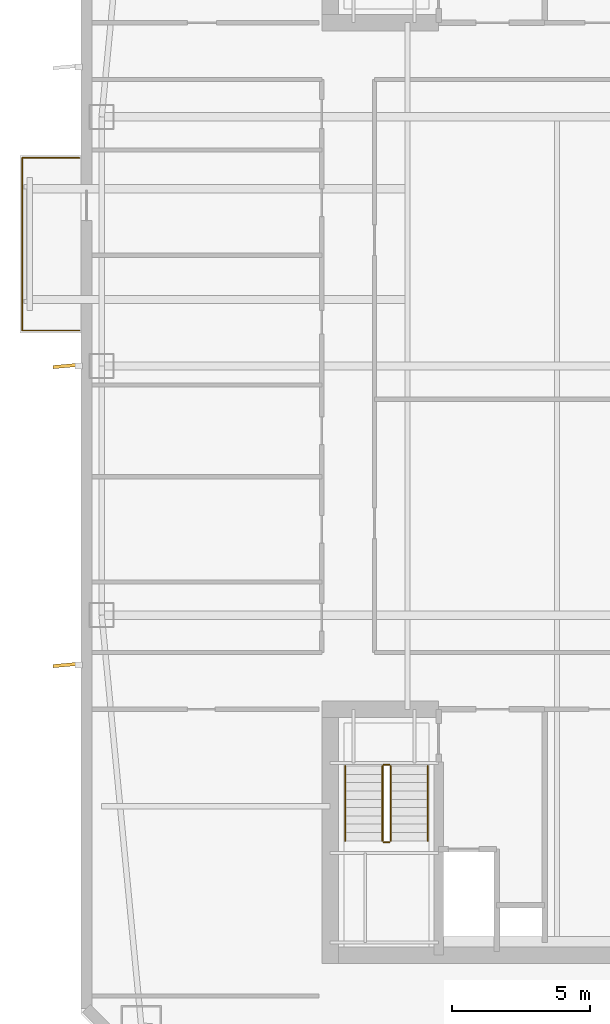
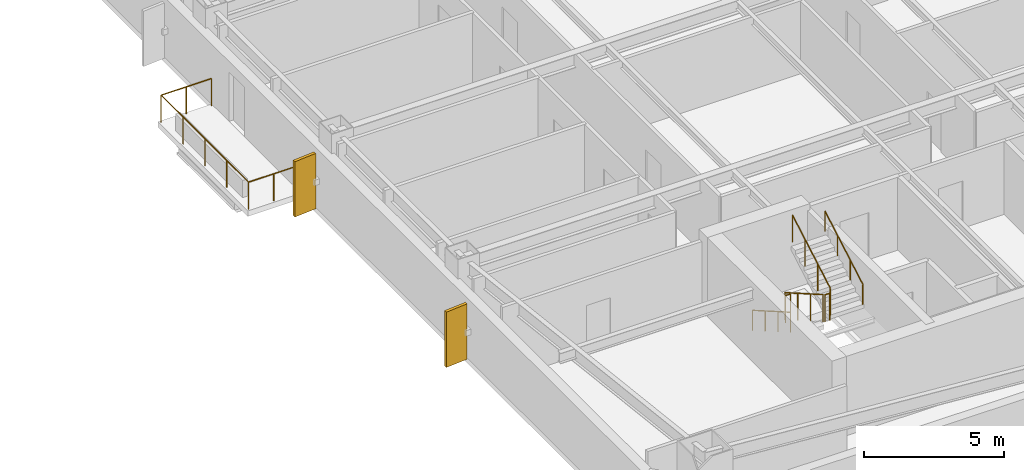
# One storey, part 14 of 18: 7 railings, 2 shading devices.
"""IFC4 building model written with IfcOpenShell, lengths in metres."""

import ifcopenshell
import ifcopenshell.guid

model = None  # the IFC model being written
_history = None  # IfcOwnerHistory: only IFC2X3 demands one
_inside = {}  # id of a spatial element -> (the spatial element, [elements in it])
_under = {}  # id of a project, library or spatial element -> (it, [spatial elements below it])
_declared = {}  # id of a project -> (the project, [libraries it declares])
_typed = {}  # id of a type object -> (the type object, [elements of that type])
_made_of = {}  # id of a material, layer set ... -> (it, [elements and type objects made of it])


def new_model(schema):
    """Start an empty IFC model of exactly this schema.

    Asked for "IFC4X3", IfcOpenShell would pick the latest addendum, in which some entities
    have other attributes; the version numbers below select the first issue.
    IFC2X3 requires an IfcOwnerHistory on every rooted entity: one is made here for all.
    """
    global model, _history
    if schema == "IFC4X3":
        model = ifcopenshell.file(schema_version=(4, 3, 0, 0))
    else:
        model = ifcopenshell.file(schema=schema)
    _inside.clear()
    _under.clear()
    _declared.clear()
    _typed.clear()
    _made_of.clear()
    _history = None
    if model.schema == "IFC2X3":
        org = make("IfcOrganization", Name="unknown")
        user = make(
            "IfcPersonAndOrganization",
            ThePerson=make("IfcPerson", FamilyName="unknown"),
            TheOrganization=org,
        )
        app = make(
            "IfcApplication",
            ApplicationDeveloper=org,
            Version="unknown",
            ApplicationFullName="unknown",
            ApplicationIdentifier="unknown",
        )
        _history = make(
            "IfcOwnerHistory",
            OwningUser=user,
            OwningApplication=app,
            ChangeAction="ADDED",
            CreationDate=0,
        )
    return model


def make(cls, **values):
    """One entity of the class cls with the attributes given. An attribute that is None is left unset."""
    return model.create_entity(
        cls, **{name: value for name, value in values.items() if value is not None}
    )


def rooted(cls, **values):
    """An entity with a GlobalId (a new one), such as an element, a storey or a relation."""
    return make(cls, GlobalId=ifcopenshell.guid.new(), OwnerHistory=_history, **values)


def si_unit(unit_type, name, prefix=None):
    """IfcSIUnit, for example si_unit("LENGTHUNIT", "METRE", prefix="MILLI")."""
    return make("IfcSIUnit", UnitType=unit_type, Prefix=prefix, Name=name)


def assignment(units):
    """IfcUnitAssignment: the units of a project."""
    return None if units is None else make("IfcUnitAssignment", Units=units)


def point(xyz):
    """IfcCartesianPoint."""
    return None if xyz is None else make("IfcCartesianPoint", Coordinates=xyz)


def direction(xyz):
    """IfcDirection."""
    return None if xyz is None else make("IfcDirection", DirectionRatios=xyz)


def frame(location, z_axis=None, x_axis=None):
    """IfcAxis2Placement3D, a coordinate frame: its origin and axes. An axis left out is left unset."""
    return make(
        "IfcAxis2Placement3D",
        Location=point(location),
        Axis=direction(z_axis),
        RefDirection=direction(x_axis),
    )


def frame_2d(location, x_axis=None):
    """IfcAxis2Placement2D, a coordinate frame in the plane: its origin and x axis."""
    return make(
        "IfcAxis2Placement2D", Location=point(location), RefDirection=direction(x_axis)
    )


def origin():
    """The frame at (0, 0, 0) with its axes left unset."""
    return frame((0.0, 0.0, 0.0))


def origin_2d():
    """The frame at (0, 0) in the plane with its x axis left unset."""
    return frame_2d((0.0, 0.0))


def place(relative_to, where):
    """IfcLocalPlacement: puts the frame where relative to a parent placement (None: the world)."""
    return make(
        "IfcLocalPlacement", PlacementRelTo=relative_to, RelativePlacement=where
    )


def context(
    kind, dimensions, precision=None, world=None, true_north=None, identifier=None
):
    """IfcGeometricRepresentationContext, for example the 3D "Model" context."""
    return make(
        "IfcGeometricRepresentationContext",
        ContextIdentifier=identifier,
        ContextType=kind,
        CoordinateSpaceDimension=dimensions,
        Precision=precision,
        WorldCoordinateSystem=world,
        TrueNorth=true_north,
    )


def subcontext(parent, identifier, kind, view, scale=None):
    """IfcGeometricRepresentationSubContext, for example "Body" below "Model"."""
    return make(
        "IfcGeometricRepresentationSubContext",
        ContextIdentifier=identifier,
        ContextType=kind,
        ParentContext=parent,
        TargetScale=scale,
        TargetView=view,
    )


def project(units=None, contexts=None):
    """IfcProject with its units and contexts."""
    return rooted(
        "IfcProject",
        Name="project",
        RepresentationContexts=contexts,
        UnitsInContext=assignment(units),
    )


def spatial(cls, under=None, at=None, **own):
    """A site, building, storey or space (cls), placed at a placement, below another one or the project."""
    s = rooted(cls, ObjectPlacement=at, **own)
    if under is not None:
        _under.setdefault(under.id(), (under, []))[1].append(s)
    return s


def profile(cls, at=None, kind="AREA", **sizes):
    """A parametric profile (cls). Its sizes go by their IFC names, for example OverallWidth=200.0."""
    return make(cls, ProfileType=kind, Position=at, **sizes)


def rectangle(**sizes):
    """IfcRectangleProfileDef."""
    return profile("IfcRectangleProfileDef", **sizes)


def circle(**sizes):
    """IfcCircleProfileDef."""
    return profile("IfcCircleProfileDef", **sizes)


def extrude(swept, where, along, depth):
    """IfcExtrudedAreaSolid: the profile swept, set in the frame where, extruded along a direction by depth."""
    return make(
        "IfcExtrudedAreaSolid",
        SweptArea=swept,
        Position=where,
        ExtrudedDirection=direction(along),
        Depth=depth,
    )


def shape(context_of_items, identifier, shape_type, items):
    """IfcShapeRepresentation: the items that make up one representation, for example the "Body"."""
    return make(
        "IfcShapeRepresentation",
        ContextOfItems=context_of_items,
        RepresentationIdentifier=identifier,
        RepresentationType=shape_type,
        Items=items,
    )


def material(Name=None, Category=None):
    """IfcMaterial."""
    return make("IfcMaterial", Name=Name, Category=Category)


def layer(
    of_material, thickness, ventilated=None, Name=None, Category=None, Priority=None
):
    """IfcMaterialLayer: one layer of a wall or slab, of a material (None: an air gap)."""
    return make(
        "IfcMaterialLayer",
        Material=of_material,
        LayerThickness=thickness,
        IsVentilated=ventilated,
        Name=Name,
        Category=Category,
        Priority=Priority,
    )


def layer_set(layers, Name=None):
    """IfcMaterialLayerSet."""
    return make("IfcMaterialLayerSet", MaterialLayers=layers, LayerSetName=Name)


def made_of(thing, what):
    """Note that an element or type object is made of a material, layer set ...; save() writes the relation."""
    if what is not None:
        _made_of.setdefault(what.id(), (what, []))[1].append(thing)
    return thing


def type_object(cls, material=None, **own):
    """A type object (cls), such as IfcWallType, which elements share."""
    return made_of(rooted(cls, **own), material)


def element(
    cls,
    number,
    at=None,
    inside=None,
    cuts=None,
    type_object=None,
    material=None,
    context=None,
    identifier="Body",
    shape_type=None,
    held_by="IfcProductDefinitionShape",
    body=None,
    shapes=None,
    **own,
):
    """One element of the class cls, such as IfcWall. Its Tag is "e" and its number.

    at: its placement. inside: the storey or other place that contains it. cuts: it is an
    opening in that element (IfcRelVoidsElement). A single representation is given by context,
    identifier, shape_type and body (its items); several are given by shapes. held_by: the class
    of the entity that holds the representations. save() writes the other relations.
    """
    e = rooted(cls, Tag="e%d" % number, ObjectPlacement=at, **own)
    if body is not None:
        shapes = [shape(context, identifier, shape_type, body)]
    if shapes is not None:
        e.Representation = make(held_by, Representations=shapes)
    if inside is not None:
        _inside.setdefault(inside.id(), (inside, []))[1].append(e)
    if cuts is not None:
        rooted(
            "IfcRelVoidsElement", RelatingBuildingElement=cuts, RelatedOpeningElement=e
        )
    if type_object is not None:
        _typed.setdefault(type_object.id(), (type_object, []))[1].append(e)
    return made_of(e, material)


def aggregate(whole, parts):
    """IfcRelAggregates: a whole, such as a stair, and the parts it consists of."""
    return rooted("IfcRelAggregates", RelatingObject=whole, RelatedObjects=parts)


def save(model, path):
    """Write the relations noted so far, then the file.

    IfcRelAggregates (storeys below a building ...), IfcRelContainedInSpatialStructure (elements
    in a storey), IfcRelDefinesByType, IfcRelAssociatesMaterial and IfcRelDeclares: one each for
    every whole, place, type object, material and project.
    """
    for whole, parts in _under.values():
        aggregate(whole, parts)
    for where, things in _inside.values():
        rooted(
            "IfcRelContainedInSpatialStructure",
            RelatedElements=things,
            RelatingStructure=where,
        )
    for kind, things in _typed.values():
        rooted("IfcRelDefinesByType", RelatedObjects=things, RelatingType=kind)
    for what, things in _made_of.values():
        rooted("IfcRelAssociatesMaterial", RelatedObjects=things, RelatingMaterial=what)
    for by, libraries in _declared.values():
        rooted("IfcRelDeclares", RelatingContext=by, RelatedDefinitions=libraries)
    model.write(path)


model = new_model("IFC4")

# Units and contexts
model_context = context("Model", 3, precision=1e-05, world=origin(), true_north=direction((0.0, 1.0)))
body_context = subcontext(model_context, "Body", "Model", "MODEL_VIEW")
ifc_project = project(units=[si_unit("LENGTHUNIT", "METRE"), si_unit("AREAUNIT", "SQUARE_METRE"), si_unit("VOLUMEUNIT", "CUBIC_METRE"), si_unit("PLANEANGLEUNIT", "RADIAN"), si_unit("MASSUNIT", "GRAM", prefix="KILO")], contexts=[model_context])

# Site, building, storey
site_placement = place(None, origin())
site = spatial("IfcSite", under=ifc_project, at=site_placement, CompositionType="ELEMENT")
building_placement = place(site_placement, origin())
building = spatial("IfcBuilding", under=site, at=building_placement, Name="Qiaolan Cultural Towers", CompositionType="ELEMENT")
storey_placement = place(building_placement, frame((0.0, 0.0, 163.300048828125)))
storey = spatial("IfcBuildingStorey", under=building, at=storey_placement, Name="L43", CompositionType="ELEMENT", Elevation=163.300048828125)

# Railings
ifc_material_1 = material(Name="Laminated SentryGlas & Stainless Steel S31608 Balustrade", Category="steel")
railing_type_1 = type_object("IfcRailingType", Name="GRD-TERR-1200", PredefinedType="BALUSTRADE", material=ifc_material_1)
railing_1_placement = place(storey_placement, frame((12.75, 35.280029296875, 0.0)))
element("IfcRailing", 1, at=railing_1_placement, inside=storey, type_object=railing_type_1, Name="L43 T1 Tree Balcony Guardrail W", PredefinedType="BALUSTRADE", context=body_context, shape_type="SweptSolid", body=[
    extrude(circle(Radius=0.02392578125, at=origin_2d()), frame((0.0, 0.0, 1.17578125), z_axis=(-1.0, 0.0, 0.0), x_axis=(0.0, -1.0, 0.0)), (0.0, 0.0, 1.0), 2.070068359375),
    extrude(circle(Radius=0.02392578125, at=origin_2d()), frame((-2.070068359375, 0.0, 1.17578125), z_axis=(0.0, 1.0, 0.0), x_axis=(-1.0, 0.0, 0.0)), (0.0, 0.0, 1.0), 6.239990234375),
    extrude(circle(Radius=0.02392578125, at=origin_2d()), frame((-2.070068359375, 6.239990234375, 1.17578125), z_axis=(1.0, 0.0, 0.0), x_axis=(0.0, 1.0, 0.0)), (0.0, 0.0, 1.0), 2.070068359375),
    extrude(circle(Radius=0.02099609375, at=origin_2d()), origin(), (0.0, 0.0, 1.0), 1.15185546875),
    extrude(circle(Radius=0.02099609375, at=origin_2d()), frame((-1.03515625, 0.0, 0.0)), (0.0, 0.0, 1.0), 1.15185546875),
    extrude(circle(Radius=0.02099609375, at=origin_2d()), frame((-2.070068359375, 0.0, 0.0)), (0.0, 0.0, 1.0), 1.15185546875),
    extrude(circle(Radius=0.02099609375, at=origin_2d()), frame((-2.070068359375, 1.56005859375, 0.0)), (0.0, 0.0, 1.0), 1.15185546875),
    extrude(circle(Radius=0.02099609375, at=origin_2d()), frame((-2.070068359375, 3.1201171875, 0.0)), (0.0, 0.0, 1.0), 1.15185546875),
    extrude(circle(Radius=0.02099609375, at=origin_2d()), frame((-2.070068359375, 4.679931640625, 0.0)), (0.0, 0.0, 1.0), 1.15185546875),
    extrude(circle(Radius=0.02099609375, at=origin_2d()), frame((-2.070068359375, 6.239990234375, 0.0)), (0.0, 0.0, 1.0), 1.15185546875),
    extrude(circle(Radius=0.02099609375, at=origin_2d()), frame((-1.03515625, 6.239990234375, 0.0)), (0.0, 0.0, 1.0), 1.15185546875),
    extrude(circle(Radius=0.02099609375, at=origin_2d()), frame((0.0, 6.239990234375, 0.0)), (0.0, 0.0, 1.0), 1.15185546875),
])
ifc_material_2 = material(Name="Galvanized Painted Steel Stair Guardrail", Category="steel")
railing_type_2 = type_object("IfcRailingType", Name="RL-STAIR-GRD", PredefinedType="GUARDRAIL", material=ifc_material_2)
railing_2_placement = place(storey_placement, frame((23.68994140625, 19.550048828125, 0.17236328125)))
element("IfcRailing", 2, at=railing_2_placement, inside=storey, type_object=railing_type_2, Name="L43 ST-W1 stair guard 1", PredefinedType="GUARDRAIL", context=body_context, shape_type="SweptSolid", body=[
    extrude(circle(Radius=0.02392578125, at=origin_2d()), frame((0.0, 0.0, 1.17578125), z_axis=(0.0, -0.866903762492, 0.498475542607), x_axis=(1.0, 0.0, 0.0)), (0.0, 0.0, 1.0), 3.114501953125),
    extrude(circle(Radius=0.02099609375, at=origin_2d()), origin(), (0.0, 0.0, 1.0), 1.15185546875),
    extrude(circle(Radius=0.02099609375, at=origin_2d()), frame((0.0, -0.89990234375, 0.517578125)), (0.0, 0.0, 1.0), 1.15185546875),
    extrude(circle(Radius=0.02099609375, at=origin_2d()), frame((0.0, -1.800048828125, 1.034912109375)), (0.0, 0.0, 1.0), 1.15185546875),
    extrude(circle(Radius=0.02099609375, at=origin_2d()), frame((0.0, -2.699951171875, 1.552490234375)), (0.0, 0.0, 1.0), 1.15185546875),
])
railing_3_placement = place(storey_placement, frame((23.739990234375, 16.800048828125, 1.724853515625)))
element("IfcRailing", 3, at=railing_3_placement, inside=storey, type_object=railing_type_2, Name="L43 ST-W1 stair guard 2", PredefinedType="GUARDRAIL", context=body_context, shape_type="SweptSolid", body=[
    extrude(circle(Radius=0.02392578125, at=origin_2d()), frame((0.0, 0.0, 1.17578125), z_axis=(1.0, 0.0, 0.0), x_axis=(0.0, 1.0, 0.0)), (0.0, 0.0, 1.0), 0.199951171875),
    extrude(circle(Radius=0.02099609375, at=origin_2d()), origin(), (0.0, 0.0, 1.0), 1.15185546875),
    extrude(circle(Radius=0.02099609375, at=origin_2d()), frame((0.199951171875, 0.0, 0.0)), (0.0, 0.0, 1.0), 1.15185546875),
])
railing_4_placement = place(storey_placement, frame((23.989990234375, 16.85009765625, 1.8974609375)))
element("IfcRailing", 4, at=railing_4_placement, inside=storey, type_object=railing_type_2, Name="L43 ST-W1 stair guard 3", PredefinedType="GUARDRAIL", context=body_context, shape_type="SweptSolid", body=[
    extrude(circle(Radius=0.02392578125, at=origin_2d()), frame((0.0, 0.0, 1.17578125), z_axis=(0.0, 0.866903762492, 0.498475542607), x_axis=(-1.0, 0.0, 0.0)), (0.0, 0.0, 1.0), 3.114501953125),
    extrude(circle(Radius=0.02099609375, at=origin_2d()), origin(), (0.0, 0.0, 1.0), 1.15185546875),
    extrude(circle(Radius=0.02099609375, at=origin_2d()), frame((0.0, 0.89990234375, 0.517578125)), (0.0, 0.0, 1.0), 1.15185546875),
    extrude(circle(Radius=0.02099609375, at=origin_2d()), frame((0.0, 1.800048828125, 1.034912109375)), (0.0, 0.0, 1.0), 1.15185546875),
    extrude(circle(Radius=0.02099609375, at=origin_2d()), frame((0.0, 2.699951171875, 1.552490234375)), (0.0, 0.0, 1.0), 1.15185546875),
])
railing_5_placement = place(storey_placement, frame((23.739990234375, 19.60009765625, 0.0)))
element("IfcRailing", 5, at=railing_5_placement, inside=storey, type_object=railing_type_2, Name="L43 ST-W1 stair guard 4", PredefinedType="GUARDRAIL", context=body_context, shape_type="SweptSolid", body=[
    extrude(circle(Radius=0.02392578125, at=origin_2d()), frame((0.0, 0.0, 1.17578125), z_axis=(1.0, 0.0, 0.0), x_axis=(0.0, 1.0, 0.0)), (0.0, 0.0, 1.0), 0.199951171875),
    extrude(circle(Radius=0.02099609375, at=origin_2d()), origin(), (0.0, 0.0, 1.0), 1.15185546875),
    extrude(circle(Radius=0.02099609375, at=origin_2d()), frame((0.199951171875, 0.0, 0.0)), (0.0, 0.0, 1.0), 1.15185546875),
])
ifc_material_3 = material(Name="Stainless Steel S30408 Tubular Handrail", Category="steel")
railing_type_3 = type_object("IfcRailingType", Name="RL-STAIR-HR", PredefinedType="HANDRAIL", material=ifc_material_3)
railing_6_placement = place(storey_placement, frame((22.35009765625, 19.550048828125, 0.17236328125)))
element("IfcRailing", 6, at=railing_6_placement, inside=storey, type_object=railing_type_3, Name="L43 ST-W1 stair handrail 1", PredefinedType="HANDRAIL", context=body_context, shape_type="SweptSolid", body=[
    extrude(circle(Radius=0.02392578125, at=origin_2d()), frame((0.0, 0.0, 0.8759765625), z_axis=(0.0, -0.866903762492, 0.498475542607), x_axis=(1.0, 0.0, 0.0)), (0.0, 0.0, 1.0), 3.114501953125),
    extrude(circle(Radius=0.02099609375, at=origin_2d()), origin(), (0.0, 0.0, 1.0), 0.851806640625),
    extrude(circle(Radius=0.02099609375, at=origin_2d()), frame((0.0, -0.89990234375, 0.517578125)), (0.0, 0.0, 1.0), 0.851806640625),
    extrude(circle(Radius=0.02099609375, at=origin_2d()), frame((0.0, -1.800048828125, 1.034912109375)), (0.0, 0.0, 1.0), 0.851806640625),
    extrude(circle(Radius=0.02099609375, at=origin_2d()), frame((0.0, -2.699951171875, 1.552490234375)), (0.0, 0.0, 1.0), 0.851806640625),
])
railing_7_placement = place(storey_placement, frame((25.330078125, 16.85009765625, 1.8974609375)))
element("IfcRailing", 7, at=railing_7_placement, inside=storey, type_object=railing_type_3, Name="L43 ST-W1 stair handrail 2", PredefinedType="HANDRAIL", context=body_context, shape_type="SweptSolid", body=[
    extrude(circle(Radius=0.02392578125, at=origin_2d()), frame((0.0, 0.0, 0.8759765625), z_axis=(0.0, 0.866903762492, 0.498475542607), x_axis=(-1.0, 0.0, 0.0)), (0.0, 0.0, 1.0), 3.114501953125),
    extrude(circle(Radius=0.02099609375, at=origin_2d()), origin(), (0.0, 0.0, 1.0), 0.851806640625),
    extrude(circle(Radius=0.02099609375, at=origin_2d()), frame((0.0, 0.89990234375, 0.517578125)), (0.0, 0.0, 1.0), 0.851806640625),
    extrude(circle(Radius=0.02099609375, at=origin_2d()), frame((0.0, 1.800048828125, 1.034912109375)), (0.0, 0.0, 1.0), 0.851806640625),
    extrude(circle(Radius=0.02099609375, at=origin_2d()), frame((0.0, 2.699951171875, 1.552490234375)), (0.0, 0.0, 1.0), 0.851806640625),
])

# Shading devices
ifc_material_4 = material(Name="Pierced Warm Terracotta Acoustic Fin", Category="masonry")
ifc_layer = layer(ifc_material_4, 0.1201171875)
ifc_layer_set = layer_set([ifc_layer], Name="Pierced Warm Terracotta Acoustic Fin")
shading_device_type = type_object("IfcShadingDeviceType", Name="SHD-FIN-PIERCED", PredefinedType="USERDEFINED", material=ifc_layer_set)
for number, where, z_axis, x_axis, name in (
    (8, (12.239990234375, 23.199951171875, 0.10009765625), (0.0, 0.0, 1.0), (0.995993912618, 0.089421060319, 0.0), "L43 T1 Expressive Precast Vertical Fin W1"),
    (9, (12.239990234375, 34.0, 0.10009765625), (0.0, 0.0, 1.0), (0.995993912618, 0.089421060319, 0.0), "L43 T1 Expressive Precast Vertical Fin W2"),
):
    element("IfcShadingDevice", number, at=place(storey_placement, frame(where, z_axis=z_axis, x_axis=x_axis)), inside=storey, type_object=shading_device_type, Name=name, ObjectType="FIN", PredefinedType="USERDEFINED", context=body_context, shape_type="SweptSolid", body=[
        extrude(rectangle(XDim=0.89990234375, YDim=0.1201171875, at=origin_2d()), origin(), (0.0, 0.0, 1.0), 2.409912109375),
    ])

save(model, "model.ifc")
